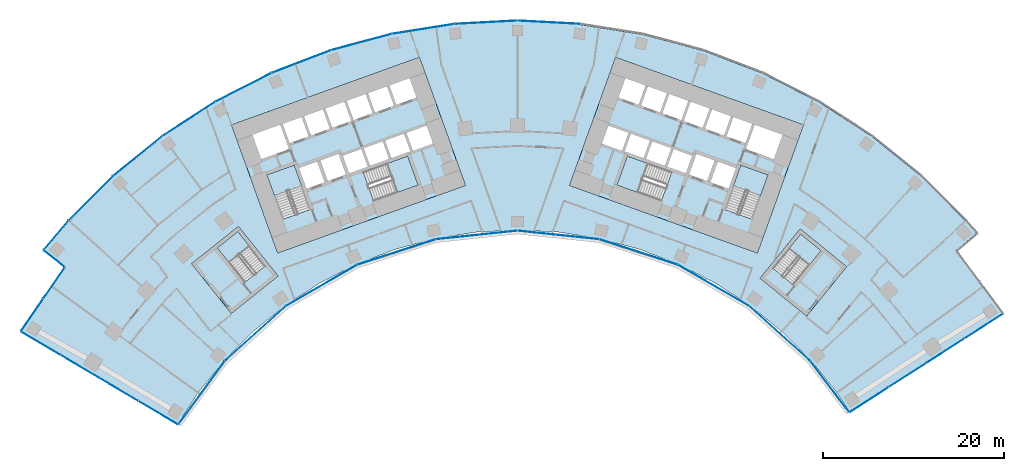
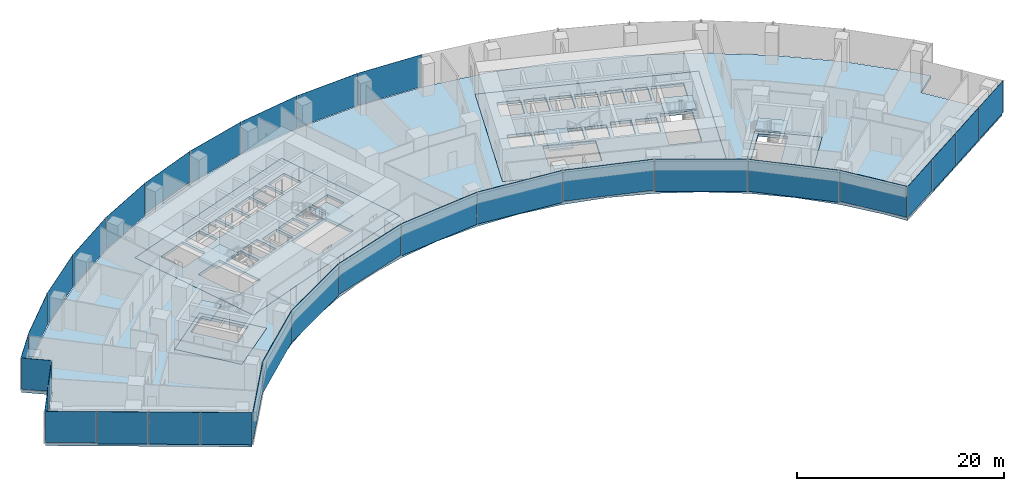
# One storey, part 12 of 21: 31 plates, 11 slabs, 12 elements without a shape of their own.
"""IFC4 building model written with IfcOpenShell, lengths in metres."""

from ifc_helpers import new_model, si_unit, direction, frame, origin, origin_2d, place, context, subcontext, project, spatial, polyline, rectangle, outline, extrude, material, layer, layer_set, type_object, element, aggregate, save


model = new_model("IFC4")

# Units and contexts
model_context = context("Model", 3, precision=1e-05, world=origin(), true_north=direction((0.0, 1.0)))
body_context = subcontext(model_context, "Body", "Model", "MODEL_VIEW")
ifc_project = project(units=[si_unit("LENGTHUNIT", "METRE"), si_unit("AREAUNIT", "SQUARE_METRE"), si_unit("VOLUMEUNIT", "CUBIC_METRE"), si_unit("PLANEANGLEUNIT", "RADIAN"), si_unit("MASSUNIT", "GRAM", prefix="KILO")], contexts=[model_context])

# Site, building, storey
site_placement = place(None, origin())
site = spatial("IfcSite", under=ifc_project, at=site_placement, CompositionType="ELEMENT")
building_placement = place(site_placement, origin())
building = spatial("IfcBuilding", under=site, at=building_placement, Name="Stone Belt Terrace Tower", CompositionType="ELEMENT")
storey_placement = place(building_placement, frame((0.0, 0.0, 49.0)))
storey = spatial("IfcBuildingStorey", under=building, at=storey_placement, Name="L11", CompositionType="ELEMENT", Elevation=49.0)

# Curtain wall, plates
ifc_material_1 = material(Name="Aluminium 6063-T6 anodised frame", Category="aluminium")
ifc_layer_1 = layer(ifc_material_1, 0.14990234375)
ifc_layer_set_1 = layer_set([ifc_layer_1], Name="CW-A unitised convex-face curtain wall")
curtain_wall_type_1 = type_object("IfcCurtainWallType", Name="CW-A unitised convex-face curtain wall", PredefinedType="NOTDEFINED", material=ifc_layer_set_1)
curtain_wall_1_placement = place(storey_placement, origin())
curtain_wall_1 = element("IfcCurtainWall", 1, at=curtain_wall_1_placement, inside=storey, type_object=curtain_wall_type_1, Name="CW-A convex face L11", PredefinedType="NOTDEFINED")
ifc_material_2 = material(Name="Clear double glazed unit")
ifc_layer_2 = layer(ifc_material_2, 0.031982421875)
ifc_layer_set_2 = layer_set([ifc_layer_2], Name="CW-A glass panel 32")
plate_type_1 = type_object("IfcPlateType", Name="CW-A glass panel 32", PredefinedType="CURTAIN_PANEL", material=ifc_layer_set_2)
plate_1_placement = place(storey_placement, frame((3.4794921875, 66.392822265625, 0.0), z_axis=(0.0, 0.0, 1.0), x_axis=(-0.998629534755, 0.052335956243, 0.0)))
plate_1 = element("IfcPlate", 2, at=plate_1_placement, type_object=plate_type_1, Name="CW-A panel 9.1", PredefinedType="CURTAIN_PANEL", context=body_context, shape_type="SweptSolid", body=[
    extrude(rectangle(XDim=6.90087890625, YDim=0.031982421875, at=origin_2d()), origin(), (0.0, 0.0, 1.0), 3.800048828125),
])
plate_2_placement = place(storey_placement, frame((-3.4794921875, 66.392822265625, 0.0), z_axis=(0.0, 0.0, 1.0), x_axis=(-0.998629534755, -0.052335956243, 0.0)))
plate_2 = element("IfcPlate", 3, at=plate_2_placement, type_object=plate_type_1, Name="CW-A panel 10.1", PredefinedType="CURTAIN_PANEL", context=body_context, shape_type="SweptSolid", body=[
    extrude(rectangle(XDim=6.90087890625, YDim=0.031982421875, at=origin_2d()), origin(), (0.0, 0.0, 1.0), 3.800048828125),
])
plate_3_placement = place(storey_placement, frame((-10.400390625, 65.665283203125, 0.0), z_axis=(0.0, 0.0, 1.0), x_axis=(-0.987688340595, -0.15643446504, 0.0)))
plate_3 = element("IfcPlate", 4, at=plate_3_placement, type_object=plate_type_1, Name="CW-A panel 11.1", PredefinedType="CURTAIN_PANEL", context=body_context, shape_type="SweptSolid", body=[
    extrude(rectangle(XDim=6.90087890625, YDim=0.031982421875, at=origin_2d()), origin(), (0.0, 0.0, 1.0), 3.800048828125),
])
plate_4_placement = place(storey_placement, frame((-17.207275390625, 64.218505859375, 0.0), z_axis=(0.0, 0.0, 1.0), x_axis=(-0.965925826289, -0.258819045103, 0.0)))
plate_4 = element("IfcPlate", 5, at=plate_4_placement, type_object=plate_type_1, Name="CW-A panel 12.1", PredefinedType="CURTAIN_PANEL", context=body_context, shape_type="SweptSolid", body=[
    extrude(rectangle(XDim=6.90087890625, YDim=0.031982421875, at=origin_2d()), origin(), (0.0, 0.0, 1.0), 3.800048828125),
])
plate_5_placement = place(storey_placement, frame((-23.82568359375, 62.068115234375, 0.14013671875), z_axis=(0.0, 0.0, 1.0), x_axis=(-0.933580426497, -0.358367949545, 0.0)))
plate_5 = element("IfcPlate", 6, at=plate_5_placement, type_object=plate_type_1, Name="CW-A panel 13.1", PredefinedType="CURTAIN_PANEL", context=body_context, shape_type="SweptSolid", body=[
    extrude(rectangle(XDim=6.90087890625, YDim=0.031982421875, at=origin_2d()), origin(), (0.0, 0.0, 1.0), 3.659912109375),
])
plate_6_placement = place(storey_placement, frame((-30.18310546875, 59.237548828125, 0.0), z_axis=(0.0, 0.0, 1.0), x_axis=(-0.891006524188, -0.45399049974, 0.0)))
plate_6 = element("IfcPlate", 7, at=plate_6_placement, type_object=plate_type_1, Name="CW-A panel 14.1", PredefinedType="CURTAIN_PANEL", context=body_context, shape_type="SweptSolid", body=[
    extrude(rectangle(XDim=6.90087890625, YDim=0.031982421875, at=origin_2d()), origin(), (0.0, 0.0, 1.0), 3.800048828125),
])
plate_7_placement = place(storey_placement, frame((-36.209716796875, 55.758056640625, 0.0), z_axis=(0.0, 0.0, 1.0), x_axis=(-0.838670567945, -0.544639035015, 0.0)))
plate_7 = element("IfcPlate", 8, at=plate_7_placement, type_object=plate_type_1, Name="CW-A panel 15.1", PredefinedType="CURTAIN_PANEL", context=body_context, shape_type="SweptSolid", body=[
    extrude(rectangle(XDim=6.90087890625, YDim=0.031982421875, at=origin_2d()), origin(), (0.0, 0.0, 1.0), 3.800048828125),
])
plate_8_placement = place(storey_placement, frame((-41.839599609375, 51.667724609375, 0.0), z_axis=(0.0, 0.0, 1.0), x_axis=(-0.777145961457, -0.62932039105, 0.0)))
plate_8 = element("IfcPlate", 9, at=plate_8_placement, type_object=plate_type_1, Name="CW-A panel 16.1", PredefinedType="CURTAIN_PANEL", context=body_context, shape_type="SweptSolid", body=[
    extrude(rectangle(XDim=6.90087890625, YDim=0.031982421875, at=origin_2d()), origin(), (0.0, 0.0, 1.0), 3.800048828125),
])
plate_9_placement = place(storey_placement, frame((-47.01123046875, 47.01123046875, 0.0), z_axis=(0.0, 0.0, 1.0), x_axis=(-0.707106781187, -0.707106781187, 0.0)))
plate_9 = element("IfcPlate", 10, at=plate_9_placement, type_object=plate_type_1, Name="CW-A panel 17.1", PredefinedType="CURTAIN_PANEL", context=body_context, shape_type="SweptSolid", body=[
    extrude(rectangle(XDim=6.90087890625, YDim=0.031982421875, at=origin_2d()), origin(), (0.0, 0.0, 1.0), 3.800048828125),
])
plate_10_placement = place(storey_placement, frame((-50.84423828125, 42.92626953125, 0.0), z_axis=(0.0, 0.0, 1.0), x_axis=(-0.645291395384, -0.763936525533, 0.0)))
plate_10 = element("IfcPlate", 11, at=plate_10_placement, type_object=plate_type_1, Name="CW-A panel 18.1", PredefinedType="CURTAIN_PANEL", context=body_context, shape_type="SweptSolid", body=[
    extrude(rectangle(XDim=4.17919921875, YDim=0.031982421875, at=origin_2d()), origin(), (0.0, 0.0, 1.0), 3.800048828125),
])
aggregate(curtain_wall_1, [plate_1, plate_2, plate_3, plate_4, plate_5, plate_6, plate_7, plate_8, plate_9, plate_10])

ifc_layer_3 = layer(ifc_material_1, 0.14990234375)
ifc_layer_set_3 = layer_set([ifc_layer_3], Name="CW-B unitised concave-face curtain wall")
curtain_wall_type_2 = type_object("IfcCurtainWallType", Name="CW-B unitised concave-face curtain wall", PredefinedType="NOTDEFINED", material=ifc_layer_set_3)
curtain_wall_2_placement = place(storey_placement, origin())
curtain_wall_2 = element("IfcCurtainWall", 12, at=curtain_wall_2_placement, inside=storey, type_object=curtain_wall_type_2, Name="CW-B concave face L11", PredefinedType="NOTDEFINED")
ifc_layer_4 = layer(ifc_material_2, 0.030029296875)
ifc_layer_set_4 = layer_set([ifc_layer_4], Name="CW-B glass panel 30")
plate_type_2 = type_object("IfcPlateType", Name="CW-B glass panel 30", PredefinedType="CURTAIN_PANEL", material=ifc_layer_set_4)
plate_11_placement = place(storey_placement, frame((-34.831787109375, 25.57177734375, 0.1201171875), z_axis=(0.0, 0.0, 1.0), x_axis=(0.592159017675, 0.805821132626, 0.0)))
plate_11 = element("IfcPlate", 13, at=plate_11_placement, type_object=plate_type_2, Name="CW-B panel 1.1", PredefinedType="CURTAIN_PANEL", context=body_context, shape_type="SweptSolid", body=[
    extrude(rectangle(XDim=8.583984375, YDim=0.030029296875, at=origin_2d()), origin(), (0.0, 0.0, 1.0), 3.679931640625),
])
plate_12_placement = place(storey_placement, frame((-28.897705078125, 32.09375, 0.0), z_axis=(0.0, 0.0, 1.0), x_axis=(0.743144825477, 0.669130606359, 0.0)))
plate_12 = element("IfcPlate", 14, at=plate_12_placement, type_object=plate_type_2, Name="CW-B panel 2.1", PredefinedType="CURTAIN_PANEL", context=body_context, shape_type="SweptSolid", body=[
    extrude(rectangle(XDim=9.01318359375, YDim=0.030029296875, at=origin_2d()), origin(), (0.0, 0.0, 1.0), 3.800048828125),
])
plate_13_placement = place(storey_placement, frame((-21.59326171875, 37.40087890625, 0.0), z_axis=(0.0, 0.0, 1.0), x_axis=(0.866025403784, 0.5, 0.0)))
plate_13 = element("IfcPlate", 15, at=plate_13_placement, type_object=plate_type_2, Name="CW-B panel 3.1", PredefinedType="CURTAIN_PANEL", context=body_context, shape_type="SweptSolid", body=[
    extrude(rectangle(XDim=9.0126953125, YDim=0.030029296875, at=origin_2d()), origin(), (0.0, 0.0, 1.0), 3.800048828125),
])
plate_14_placement = place(storey_placement, frame((-13.345458984375, 41.072998046875, 0.1201171875), z_axis=(0.0, 0.0, 1.0), x_axis=(0.951056516295, 0.309016994375, 0.0)))
plate_14 = element("IfcPlate", 16, at=plate_14_placement, type_object=plate_type_2, Name="CW-B panel 4.1", PredefinedType="CURTAIN_PANEL", context=body_context, shape_type="SweptSolid", body=[
    extrude(rectangle(XDim=9.0126953125, YDim=0.030029296875, at=origin_2d()), origin(), (0.0, 0.0, 1.0), 3.679931640625),
])
plate_15_placement = place(storey_placement, frame((-4.51416015625, 42.9501953125, 0.0), z_axis=(0.0, 0.0, 1.0), x_axis=(0.994521895368, 0.104528463268, 0.0)))
plate_15 = element("IfcPlate", 17, at=plate_15_placement, type_object=plate_type_2, Name="CW-B panel 5.1", PredefinedType="CURTAIN_PANEL", context=body_context, shape_type="SweptSolid", body=[
    extrude(rectangle(XDim=9.0126953125, YDim=0.030029296875, at=origin_2d()), origin(), (0.0, 0.0, 1.0), 3.800048828125),
])
plate_16_placement = place(storey_placement, frame((4.51416015625, 42.9501953125, 0.0), z_axis=(0.0, 0.0, 1.0), x_axis=(0.994521895368, -0.104528463268, 0.0)))
plate_16 = element("IfcPlate", 18, at=plate_16_placement, type_object=plate_type_2, Name="CW-B panel 6.1", PredefinedType="CURTAIN_PANEL", context=body_context, shape_type="SweptSolid", body=[
    extrude(rectangle(XDim=9.0126953125, YDim=0.030029296875, at=origin_2d()), origin(), (0.0, 0.0, 1.0), 3.800048828125),
])
plate_17_placement = place(storey_placement, frame((13.345458984375, 41.072998046875, 0.1201171875), z_axis=(0.0, 0.0, 1.0), x_axis=(0.951056516295, -0.309016994375, 0.0)))
plate_17 = element("IfcPlate", 19, at=plate_17_placement, type_object=plate_type_2, Name="CW-B panel 7.1", PredefinedType="CURTAIN_PANEL", context=body_context, shape_type="SweptSolid", body=[
    extrude(rectangle(XDim=9.0126953125, YDim=0.030029296875, at=origin_2d()), origin(), (0.0, 0.0, 1.0), 3.679931640625),
])
plate_18_placement = place(storey_placement, frame((21.59326171875, 37.40087890625, 0.0), z_axis=(0.0, 0.0, 1.0), x_axis=(0.866025403784, -0.5, 0.0)))
plate_18 = element("IfcPlate", 20, at=plate_18_placement, type_object=plate_type_2, Name="CW-B panel 8.1", PredefinedType="CURTAIN_PANEL", context=body_context, shape_type="SweptSolid", body=[
    extrude(rectangle(XDim=9.0126953125, YDim=0.030029296875, at=origin_2d()), origin(), (0.0, 0.0, 1.0), 3.800048828125),
])
plate_19_placement = place(storey_placement, frame((28.898193359375, 32.093505859375, 0.0), z_axis=(0.0, 0.0, 1.0), x_axis=(0.743144825477, -0.669130606359, 0.0)))
plate_19 = element("IfcPlate", 21, at=plate_19_placement, type_object=plate_type_2, Name="CW-B panel 9.1", PredefinedType="CURTAIN_PANEL", context=body_context, shape_type="SweptSolid", body=[
    extrude(rectangle(XDim=9.0146484375, YDim=0.030029296875, at=origin_2d()), origin(), (0.0, 0.0, 1.0), 3.800048828125),
])
plate_20_placement = place(storey_placement, frame((34.41748046875, 26.244140625, 0.1201171875), z_axis=(0.0, 0.0, 1.0), x_axis=(0.606711628938, -0.79492200832, 0.0)))
plate_20 = element("IfcPlate", 22, at=plate_20_placement, type_object=plate_type_2, Name="CW-B panel 10.1", PredefinedType="CURTAIN_PANEL", context=body_context, shape_type="SweptSolid", body=[
    extrude(rectangle(XDim=7.010986328125, YDim=0.030029296875, at=origin_2d()), origin(), (0.0, 0.0, 1.0), 3.679931640625),
])
aggregate(curtain_wall_2, [plate_11, plate_12, plate_13, plate_14, plate_15, plate_16, plate_17, plate_18, plate_19, plate_20])

ifc_layer_5 = layer(ifc_material_1, 0.14990234375)
ifc_layer_set_5 = layer_set([ifc_layer_5], Name="CW-C stick curtain wall, horn ends and notches")
curtain_wall_type_3 = type_object("IfcCurtainWallType", Name="CW-C stick curtain wall, horn ends and notches", PredefinedType="NOTDEFINED", material=ifc_layer_set_5)
curtain_wall_3_placement = place(storey_placement, origin())
curtain_wall_3 = element("IfcCurtainWall", 23, at=curtain_wall_3_placement, inside=storey, type_object=curtain_wall_type_3, Name="CW-C end face L11", PredefinedType="NOTDEFINED")
ifc_layer_6 = layer(ifc_material_2, 0.028076171875)
ifc_layer_set_6 = layer_set([ifc_layer_6], Name="CW-C glass panel 28")
plate_type_3 = type_object("IfcPlateType", Name="CW-C glass panel 28", PredefinedType="CURTAIN_PANEL", material=ifc_layer_set_6)
plate_21_placement = place(storey_placement, frame((38.737060546875, 24.78369140625, 0.1201171875), z_axis=(0.0, 0.0, 1.0), x_axis=(0.841470984807, 0.540302305869, 0.0)))
plate_21 = element("IfcPlate", 24, at=plate_21_placement, type_object=plate_type_3, Name="CW-C panel 1.1", PredefinedType="CURTAIN_PANEL", context=body_context, shape_type="SweptSolid", body=[
    extrude(rectangle(XDim=4.96630859375, YDim=0.028076171875, at=origin_2d()), origin(), (0.0, 0.0, 1.0), 3.679931640625),
])
plate_22_placement = place(storey_placement, frame((42.95556640625, 27.4921875, 0.0), z_axis=(0.0, 0.0, 1.0), x_axis=(0.841470984807, 0.540302305869, 0.0)))
plate_22 = element("IfcPlate", 25, at=plate_22_placement, type_object=plate_type_3, Name="CW-C panel 2.1", PredefinedType="CURTAIN_PANEL", context=body_context, shape_type="SweptSolid", body=[
    extrude(rectangle(XDim=4.93994140625, YDim=0.028076171875, at=origin_2d()), origin(), (0.0, 0.0, 1.0), 3.800048828125),
])
plate_23_placement = place(storey_placement, frame((47.162841796875, 30.19384765625, 0.0), z_axis=(0.0, 0.0, 1.0), x_axis=(0.841470984807, 0.540302305869, 0.0)))
plate_23 = element("IfcPlate", 26, at=plate_23_placement, type_object=plate_type_3, Name="CW-C panel 3.1", PredefinedType="CURTAIN_PANEL", context=body_context, shape_type="SweptSolid", body=[
    extrude(rectangle(XDim=4.93994140625, YDim=0.028076171875, at=origin_2d()), origin(), (0.0, 0.0, 1.0), 3.800048828125),
])
plate_24_placement = place(storey_placement, frame((51.385009765625, 32.90478515625, 0.0), z_axis=(0.0, 0.0, 1.0), x_axis=(0.841470984807, 0.540302305869, 0.0)))
plate_24 = element("IfcPlate", 27, at=plate_24_placement, type_object=plate_type_3, Name="CW-C panel 4.1", PredefinedType="CURTAIN_PANEL", context=body_context, shape_type="SweptSolid", body=[
    extrude(rectangle(XDim=4.974853515625, YDim=0.028076171875, at=origin_2d()), origin(), (0.0, 0.0, 1.0), 3.800048828125),
])
aggregate(curtain_wall_3, [plate_21, plate_22, plate_23, plate_24])

# Curtain wall, plate
curtain_wall_4_placement = place(storey_placement, origin())
curtain_wall_4 = element("IfcCurtainWall", 28, at=curtain_wall_4_placement, inside=storey, type_object=curtain_wall_type_3, Name="CW-C notch face L11", PredefinedType="NOTDEFINED")
plate_25_placement = place(storey_placement, frame((-51.061279296875, 40.3388671875, 0.1201171875), z_axis=(0.0, 0.0, 1.0), x_axis=(0.783963828584, -0.620806504051, 0.0)))
plate_25 = element("IfcPlate", 29, at=plate_25_placement, type_object=plate_type_3, Name="CW-C panel 1.1", PredefinedType="CURTAIN_PANEL", context=body_context, shape_type="SweptSolid", body=[
    extrude(rectangle(XDim=2.859375, YDim=0.028076171875, at=origin_2d()), origin(), (0.0, 0.0, 1.0), 3.679931640625),
])
aggregate(curtain_wall_4, [plate_25])

# Curtain wall, plates
curtain_wall_5_placement = place(storey_placement, origin())
curtain_wall_5 = element("IfcCurtainWall", 30, at=curtain_wall_5_placement, inside=storey, type_object=curtain_wall_type_3, Name="CW-C notch face L11", PredefinedType="NOTDEFINED")
plate_26_placement = place(storey_placement, frame((-51.091552734375, 37.647705078125, 0.1201171875), z_axis=(0.0, 0.0, 1.0), x_axis=(-0.566375967567, -0.824146991357, 0.0)))
plate_26 = element("IfcPlate", 31, at=plate_26_placement, type_object=plate_type_3, Name="CW-C panel 1.1", PredefinedType="CURTAIN_PANEL", context=body_context, shape_type="SweptSolid", body=[
    extrude(rectangle(XDim=4.12060546875, YDim=0.028076171875, at=origin_2d()), origin(), (0.0, 0.0, 1.0), 3.679931640625),
])
plate_27_placement = place(storey_placement, frame((-53.501220703125, 34.141357421875, 0.0), z_axis=(0.0, 0.0, 1.0), x_axis=(-0.566375967567, -0.824146991357, 0.0)))
plate_27 = element("IfcPlate", 32, at=plate_27_placement, type_object=plate_type_3, Name="CW-C panel 2.1", PredefinedType="CURTAIN_PANEL", context=body_context, shape_type="SweptSolid", body=[
    extrude(rectangle(XDim=4.268798828125, YDim=0.028076171875, at=origin_2d()), origin(), (0.0, 0.0, 1.0), 3.800048828125),
])
aggregate(curtain_wall_5, [plate_26, plate_27])

curtain_wall_6_placement = place(storey_placement, origin())
curtain_wall_6 = element("IfcCurtainWall", 33, at=curtain_wall_6_placement, inside=storey, type_object=curtain_wall_type_3, Name="CW-C end face L11", PredefinedType="NOTDEFINED")
plate_28_placement = place(storey_placement, frame((-52.54736328125, 31.014892578125, 0.1201171875), z_axis=(0.0, 0.0, 1.0), x_axis=(0.860557728521, -0.509352918793, 0.0)))
plate_28 = element("IfcPlate", 34, at=plate_28_placement, type_object=plate_type_3, Name="CW-C panel 1.1", PredefinedType="CURTAIN_PANEL", context=body_context, shape_type="SweptSolid", body=[
    extrude(rectangle(XDim=4.974853515625, YDim=0.028076171875, at=origin_2d()), origin(), (0.0, 0.0, 1.0), 3.679931640625),
])
plate_29_placement = place(storey_placement, frame((-48.2294921875, 28.459228515625, 0.0), z_axis=(0.0, 0.0, 1.0), x_axis=(0.860557728521, -0.509352918793, 0.0)))
plate_29 = element("IfcPlate", 35, at=plate_29_placement, type_object=plate_type_3, Name="CW-C panel 2.1", PredefinedType="CURTAIN_PANEL", context=body_context, shape_type="SweptSolid", body=[
    extrude(rectangle(XDim=4.93994140625, YDim=0.028076171875, at=origin_2d()), origin(), (0.0, 0.0, 1.0), 3.800048828125),
])
plate_30_placement = place(storey_placement, frame((-43.9267578125, 25.912353515625, 0.0), z_axis=(0.0, 0.0, 1.0), x_axis=(0.860557728521, -0.509352918793, 0.0)))
plate_30 = element("IfcPlate", 36, at=plate_30_placement, type_object=plate_type_3, Name="CW-C panel 3.1", PredefinedType="CURTAIN_PANEL", context=body_context, shape_type="SweptSolid", body=[
    extrude(rectangle(XDim=4.93994140625, YDim=0.028076171875, at=origin_2d()), origin(), (0.0, 0.0, 1.0), 3.800048828125),
])
plate_31_placement = place(storey_placement, frame((-39.613037109375, 23.359130859375, 0.0), z_axis=(0.0, 0.0, 1.0), x_axis=(0.860557728521, -0.509352918793, 0.0)))
plate_31 = element("IfcPlate", 37, at=plate_31_placement, type_object=plate_type_3, Name="CW-C panel 4.1", PredefinedType="CURTAIN_PANEL", context=body_context, shape_type="SweptSolid", body=[
    extrude(rectangle(XDim=4.96533203125, YDim=0.028076171875, at=origin_2d()), origin(), (0.0, 0.0, 1.0), 3.800048828125),
])
aggregate(curtain_wall_6, [plate_28, plate_29, plate_30, plate_31])

# Slabs
ifc_material_3 = material(Name="Concrete B40", Category="concrete")
ifc_layer_7 = layer(ifc_material_3, 0.320068359375)
ifc_layer_set_7 = layer_set([ifc_layer_7], Name="Core floor slab 320")
slab_type_1 = type_object("IfcSlabType", Name="Core floor slab 320", PredefinedType="FLOOR", material=ifc_layer_set_7)
slab_1_placement = place(storey_placement, frame((0.0, 0.0, -0.320068359375)))
element("IfcSlab", 38, at=slab_1_placement, inside=storey, type_object=slab_type_1, Name="Core A floor L11", PredefinedType="FLOOR", context=body_context, shape_type="SweptSolid", body=[
    extrude(outline(polyline([(-26.43505859375, 40.968994140625), (-5.735107421875, 48.4189453125), (-10.81396484375, 62.531982421875), (-31.513916015625, 55.0830078125), (-26.43505859375, 40.968994140625)]), holes=[polyline([(-24.60791015625, 50.659912109375), (-22.847900390625, 45.76806640625), (-25.85888671875, 44.68408203125), (-27.618896484375, 49.575927734375), (-24.60791015625, 50.659912109375)]), polyline([(-21.27392578125, 48.778076171875), (-23.25, 48.06689453125), (-24.06298828125, 50.324951171875), (-22.0869140625, 51.035888671875), (-21.27392578125, 48.778076171875)]), polyline([(-18.922119140625, 49.6240234375), (-20.89794921875, 48.9130859375), (-21.7109375, 51.1708984375), (-19.735107421875, 51.883056640625), (-18.922119140625, 49.6240234375)]), polyline([(-19.239990234375, 51.68896484375), (-17.217041015625, 52.4169921875), (-16.52294921875, 50.488037109375), (-18.5458984375, 49.760009765625), (-19.239990234375, 51.68896484375)]), polyline([(-29.2109375, 53.9990234375), (-26.153076171875, 55.09912109375), (-25.18798828125, 52.41796875), (-28.24609375, 51.31689453125), (-29.2109375, 53.9990234375)]), polyline([(-23.801025390625, 55.946044921875), (-23.0390625, 53.8291015625), (-25.10888671875, 53.083984375), (-25.87109375, 55.200927734375), (-23.801025390625, 55.946044921875)]), polyline([(-21.447998046875, 56.7919921875), (-20.68603515625, 54.675048828125), (-22.756103515625, 53.929931640625), (-23.51806640625, 56.047119140625), (-21.447998046875, 56.7919921875)]), polyline([(-19.095947265625, 57.638916015625), (-18.333984375, 55.52197265625), (-20.404052734375, 54.777099609375), (-21.166015625, 56.89404296875), (-19.095947265625, 57.638916015625)]), polyline([(-15.846923828125, 46.69189453125), (-16.998046875, 49.89208984375), (-12.10595703125, 51.652099609375), (-10.955078125, 48.452880859375), (-15.846923828125, 46.69189453125)]), polyline([(-16.239990234375, 50.589111328125), (-16.93408203125, 52.51806640625), (-14.864013671875, 53.262939453125), (-14.169921875, 51.333984375), (-16.239990234375, 50.589111328125)]), polyline([(-11.801025390625, 52.134033203125), (-11.847900390625, 52.116943359375), (-11.864990234375, 52.1640625), (-13.887939453125, 51.43603515625), (-14.58203125, 53.364990234375), (-12.511962890625, 54.110107421875), (-11.801025390625, 52.134033203125)]), polyline([(-9.30810546875, 53.031005859375), (-11.51904296875, 52.235107421875), (-12.22998046875, 54.2109375), (-10.01904296875, 55.007080078125), (-9.30810546875, 53.031005859375)]), polyline([(-16.743896484375, 58.485107421875), (-15.98193359375, 56.367919921875), (-18.052001953125, 55.623046875), (-18.81396484375, 57.739990234375), (-16.743896484375, 58.485107421875)]), polyline([(-14.39111328125, 59.33203125), (-13.6298828125, 57.215087890625), (-15.699951171875, 56.469970703125), (-16.4609375, 58.5869140625), (-14.39111328125, 59.33203125)]), polyline([(-11.89794921875, 60.22900390625), (-11.135986328125, 58.112060546875), (-13.346923828125, 57.31591796875), (-14.10888671875, 59.43408203125), (-11.89794921875, 60.22900390625)])]), origin(), (0.0, 0.0, 1.0), 0.320068359375),
])
slab_2_placement = place(storey_placement, frame((0.0, 0.0, -0.320068359375)))
element("IfcSlab", 39, at=slab_2_placement, inside=storey, type_object=slab_type_1, Name="Core B floor L11", PredefinedType="FLOOR", context=body_context, shape_type="SweptSolid", body=[
    extrude(outline(polyline([(26.43505859375, 40.968994140625), (31.513916015625, 55.0830078125), (10.81396484375, 62.531982421875), (5.735107421875, 48.4189453125), (26.43505859375, 40.968994140625)]), holes=[polyline([(12.10595703125, 51.652099609375), (16.998046875, 49.89208984375), (15.846923828125, 46.69189453125), (10.955078125, 48.452880859375), (12.10595703125, 51.652099609375)]), polyline([(19.239990234375, 51.68896484375), (18.5458984375, 49.760009765625), (16.52294921875, 50.488037109375), (17.217041015625, 52.4169921875), (19.239990234375, 51.68896484375)]), polyline([(16.239990234375, 50.589111328125), (14.169921875, 51.333984375), (14.864013671875, 53.262939453125), (16.93408203125, 52.51806640625), (16.239990234375, 50.589111328125)]), polyline([(14.58203125, 53.364990234375), (13.887939453125, 51.43603515625), (11.864990234375, 52.1640625), (11.847900390625, 52.116943359375), (11.801025390625, 52.134033203125), (12.511962890625, 54.110107421875), (14.58203125, 53.364990234375)]), polyline([(9.30810546875, 53.031005859375), (10.01904296875, 55.007080078125), (12.22998046875, 54.2109375), (11.51904296875, 52.235107421875), (9.30810546875, 53.031005859375)]), polyline([(16.743896484375, 58.485107421875), (18.81396484375, 57.739990234375), (18.052001953125, 55.623046875), (15.98193359375, 56.367919921875), (16.743896484375, 58.485107421875)]), polyline([(14.39111328125, 59.33203125), (16.4609375, 58.5869140625), (15.699951171875, 56.469970703125), (13.6298828125, 57.215087890625), (14.39111328125, 59.33203125)]), polyline([(11.89794921875, 60.22900390625), (14.10888671875, 59.43408203125), (13.346923828125, 57.31591796875), (11.135986328125, 58.112060546875), (11.89794921875, 60.22900390625)]), polyline([(25.85888671875, 44.68408203125), (22.847900390625, 45.76806640625), (24.60791015625, 50.659912109375), (27.618896484375, 49.575927734375), (25.85888671875, 44.68408203125)]), polyline([(21.27392578125, 48.778076171875), (22.0869140625, 51.035888671875), (24.06298828125, 50.324951171875), (23.25, 48.06689453125), (21.27392578125, 48.778076171875)]), polyline([(18.922119140625, 49.6240234375), (19.735107421875, 51.883056640625), (21.7109375, 51.1708984375), (20.89794921875, 48.9130859375), (18.922119140625, 49.6240234375)]), polyline([(29.2109375, 53.9990234375), (28.24609375, 51.31689453125), (25.18798828125, 52.41796875), (26.153076171875, 55.09912109375), (29.2109375, 53.9990234375)]), polyline([(23.801025390625, 55.946044921875), (25.87109375, 55.200927734375), (25.10888671875, 53.083984375), (23.0390625, 53.8291015625), (23.801025390625, 55.946044921875)]), polyline([(21.447998046875, 56.7919921875), (23.51806640625, 56.047119140625), (22.756103515625, 53.929931640625), (20.68603515625, 54.675048828125), (21.447998046875, 56.7919921875)]), polyline([(19.095947265625, 57.638916015625), (21.166015625, 56.89404296875), (20.404052734375, 54.777099609375), (18.333984375, 55.52197265625), (19.095947265625, 57.638916015625)])]), origin(), (0.0, 0.0, 1.0), 0.320068359375),
])
slab_3_placement = place(storey_placement, frame((0.0, 0.0, -0.320068359375)))
element("IfcSlab", 40, at=slab_3_placement, inside=storey, type_object=slab_type_1, Name="Exit stair ST3A floor L11", PredefinedType="FLOOR", context=body_context, shape_type="SweptSolid", body=[
    extrude(outline(polyline([(-26.39404296875, 38.425048828125), (-30.756103515625, 43.89990234375), (-35.91796875, 39.787109375), (-31.555908203125, 34.31298828125), (-26.39404296875, 38.425048828125)]), holes=[polyline([(-27.798095703125, 39.544921875), (-30.06591796875, 37.738037109375), (-33.087890625, 41.531005859375), (-30.820068359375, 43.337890625), (-27.798095703125, 39.544921875)])]), origin(), (0.0, 0.0, 1.0), 0.320068359375),
])
slab_4_placement = place(storey_placement, frame((0.0, 0.0, -0.320068359375)))
element("IfcSlab", 41, at=slab_4_placement, inside=storey, type_object=slab_type_1, Name="Exit stair ST3B floor L11", PredefinedType="FLOOR", context=body_context, shape_type="SweptSolid", body=[
    extrude(outline(polyline([(26.741943359375, 38.18408203125), (31.866943359375, 34.02392578125), (36.278076171875, 39.458984375), (31.154052734375, 43.618896484375), (26.741943359375, 38.18408203125)]), holes=[polyline([(30.407958984375, 37.462890625), (28.156005859375, 39.291015625), (31.2119140625, 43.055908203125), (33.464111328125, 41.22802734375), (30.407958984375, 37.462890625)])]), origin(), (0.0, 0.0, 1.0), 0.320068359375),
])
ifc_layer_8 = layer(ifc_material_3, 0.320068359375)
ifc_layer_set_8 = layer_set([ifc_layer_8], Name="Floor slab 320 B40")
slab_type_2 = type_object("IfcSlabType", Name="Floor slab 320 B40", PredefinedType="FLOOR", material=ifc_layer_set_8)
slab_5_placement = place(storey_placement, frame((0.0, 0.0, -0.320068359375)))
element("IfcSlab", 42, at=slab_5_placement, inside=storey, type_object=slab_type_2, Name="Floor slab L11", PredefinedType="FLOOR", context=body_context, shape_type="SweptSolid", body=[
    extrude(outline(polyline([(-49.419189453125, 44.497314453125), (-44.497314453125, 49.419189453125), (-39.087646484375, 53.799560546875), (-33.25, 57.5908203125), (-27.048095703125, 60.750732421875), (-20.549560546875, 63.245361328125), (-13.826171875, 65.046875), (-6.951171875, 66.1357421875), (0.0, 66.5), (6.951171875, 66.1357421875), (13.826171875, 65.046875), (20.549560546875, 63.245361328125), (27.048095703125, 60.750732421875), (33.25, 57.5908203125), (39.087646484375, 53.799560546875), (44.497314453125, 49.419189453125), (49.419189453125, 44.497314453125), (50.59814453125, 43.151611328125), (48.315673828125, 41.205078125), (53.433349609375, 34.30908203125), (36.60400390625, 23.503173828125), (35.192138671875, 25.568603515625), (32.326904296875, 29.107177734375), (29.107177734375, 32.326904296875), (25.568603515625, 35.192138671875), (21.75, 37.672119140625), (17.693115234375, 39.7392578125), (13.442138671875, 41.37109375), (9.044189453125, 42.54931640625), (4.547119140625, 43.26171875), (0.0, 43.5), (-4.547119140625, 43.26171875), (-9.044189453125, 42.54931640625), (-13.442138671875, 41.37109375), (-17.693115234375, 39.7392578125), (-21.75, 37.672119140625), (-25.568603515625, 35.192138671875), (-29.107177734375, 32.326904296875), (-32.326904296875, 29.107177734375), (-35.192138671875, 25.568603515625), (-37.434326171875, 22.156982421875), (-54.6455078125, 32.343994140625), (-49.78173828125, 39.421142578125), (-52.133544921875, 41.28369140625), (-49.419189453125, 44.497314453125)]), holes=[polyline([(-26.434814453125, 40.968994140625), (-5.734619140625, 48.418701171875), (-10.81396484375, 62.532470703125), (-31.51416015625, 55.082763671875), (-26.434814453125, 40.968994140625)]), polyline([(10.81396484375, 62.532470703125), (5.734619140625, 48.418701171875), (26.434814453125, 40.968994140625), (31.51416015625, 55.082763671875), (10.81396484375, 62.532470703125)]), polyline([(-35.91796875, 39.787353515625), (-31.55615234375, 34.3125), (-26.39404296875, 38.425048828125), (-30.756103515625, 43.89990234375), (-35.91796875, 39.787353515625)]), polyline([(36.2783203125, 39.459228515625), (31.15380859375, 43.61865234375), (26.742431640625, 38.18359375), (31.86669921875, 34.024169921875), (36.2783203125, 39.459228515625)])]), origin(), (0.0, 0.0, 1.0), 0.320068359375),
])

# Stair, slab
stair_type = type_object("IfcStairType", Name="Exit stair 1500", PredefinedType="HALF_TURN_STAIR", material=ifc_material_3)
stair_1_placement = place(storey_placement, origin())
stair_1 = element("IfcStair", 43, at=stair_1_placement, inside=storey, type_object=stair_type, Name="L11 Exit stair 1 core A", PredefinedType="HALF_TURN_STAIR")
ifc_layer_9 = layer(ifc_material_3, 0.199951171875)
ifc_layer_set_9 = layer_set([ifc_layer_9], Name="Stair landing 200")
slab_type_3 = type_object("IfcSlabType", Name="Stair landing 200", PredefinedType="LANDING", material=ifc_layer_set_9)
slab_6_placement = place(storey_placement, frame((0.0, 0.0, 1.699951171875)))
slab_6 = element("IfcSlab", 44, at=slab_6_placement, type_object=slab_type_3, Name="ST1A landing 1", PredefinedType="LANDING", context=body_context, shape_type="SweptSolid", body=[
    extrude(outline(polyline([(-23.79541015625, 48.40087890625), (-24.6083984375, 50.659912109375), (-27.619384765625, 49.576171875), (-26.806396484375, 47.3173828125), (-23.79541015625, 48.40087890625)])), origin(), (0.0, 0.0, 1.0), 0.199951171875),
])
aggregate(stair_1, [slab_6])

stair_2_placement = place(storey_placement, origin())
stair_2 = element("IfcStair", 45, at=stair_2_placement, inside=storey, type_object=stair_type, Name="L11 Exit stair 2 core A", PredefinedType="HALF_TURN_STAIR")
slab_7_placement = place(storey_placement, frame((0.0, 0.0, 1.699951171875)))
slab_7 = element("IfcSlab", 46, at=slab_7_placement, type_object=slab_type_3, Name="ST2A landing 1", PredefinedType="LANDING", context=body_context, shape_type="SweptSolid", body=[
    extrude(outline(polyline([(-13.213623046875, 47.64013671875), (-10.95458984375, 48.453125), (-12.10595703125, 51.652099609375), (-14.36474609375, 50.839111328125), (-13.213623046875, 47.64013671875)])), origin(), (0.0, 0.0, 1.0), 0.199951171875),
])
aggregate(stair_2, [slab_7])

stair_3_placement = place(storey_placement, origin())
stair_3 = element("IfcStair", 47, at=stair_3_placement, inside=storey, type_object=stair_type, Name="L11 Exit stair 1 core B", PredefinedType="HALF_TURN_STAIR")
slab_8_placement = place(storey_placement, frame((0.0, 0.0, 1.699951171875)))
slab_8 = element("IfcSlab", 48, at=slab_8_placement, type_object=slab_type_3, Name="ST1B landing 1", PredefinedType="LANDING", context=body_context, shape_type="SweptSolid", body=[
    extrude(outline(polyline([(26.806396484375, 47.3173828125), (27.619384765625, 49.576171875), (24.6083984375, 50.659912109375), (23.79541015625, 48.40087890625), (26.806396484375, 47.3173828125)])), origin(), (0.0, 0.0, 1.0), 0.199951171875),
])
aggregate(stair_3, [slab_8])

stair_4_placement = place(storey_placement, origin())
stair_4 = element("IfcStair", 49, at=stair_4_placement, inside=storey, type_object=stair_type, Name="L11 Exit stair 2 core B", PredefinedType="HALF_TURN_STAIR")
slab_9_placement = place(storey_placement, frame((0.0, 0.0, 1.699951171875)))
slab_9 = element("IfcSlab", 50, at=slab_9_placement, type_object=slab_type_3, Name="ST2B landing 1", PredefinedType="LANDING", context=body_context, shape_type="SweptSolid", body=[
    extrude(outline(polyline([(14.36474609375, 50.839111328125), (12.10595703125, 51.652099609375), (10.95458984375, 48.453125), (13.213623046875, 47.64013671875), (14.36474609375, 50.839111328125)])), origin(), (0.0, 0.0, 1.0), 0.199951171875),
])
aggregate(stair_4, [slab_9])

stair_5_placement = place(storey_placement, origin())
stair_5 = element("IfcStair", 51, at=stair_5_placement, inside=storey, type_object=stair_type, Name="L11 Exit stair 3A", PredefinedType="HALF_TURN_STAIR")
slab_10_placement = place(storey_placement, frame((0.0, 0.0, 1.699951171875)))
slab_10 = element("IfcSlab", 52, at=slab_10_placement, type_object=slab_type_3, Name="ST3A landing 1", PredefinedType="LANDING", context=body_context, shape_type="SweptSolid", body=[
    extrude(outline(polyline([(-29.541748046875, 41.73388671875), (-30.819580078125, 43.337890625), (-33.087646484375, 41.53076171875), (-31.809814453125, 39.9267578125), (-29.541748046875, 41.73388671875)])), origin(), (0.0, 0.0, 1.0), 0.199951171875),
])
aggregate(stair_5, [slab_10])

stair_6_placement = place(storey_placement, origin())
stair_6 = element("IfcStair", 53, at=stair_6_placement, inside=storey, type_object=stair_type, Name="L11 Exit stair 3B", PredefinedType="HALF_TURN_STAIR")
slab_11_placement = place(storey_placement, frame((0.0, 0.0, 1.699951171875)))
slab_11 = element("IfcSlab", 54, at=slab_11_placement, type_object=slab_type_3, Name="ST3B landing 1", PredefinedType="LANDING", context=body_context, shape_type="SweptSolid", body=[
    extrude(outline(polyline([(32.17138671875, 39.635986328125), (33.4638671875, 41.228271484375), (31.21240234375, 43.055908203125), (29.919921875, 41.463623046875), (32.17138671875, 39.635986328125)])), origin(), (0.0, 0.0, 1.0), 0.199951171875),
])
aggregate(stair_6, [slab_11])

save(model, "model.ifc")
